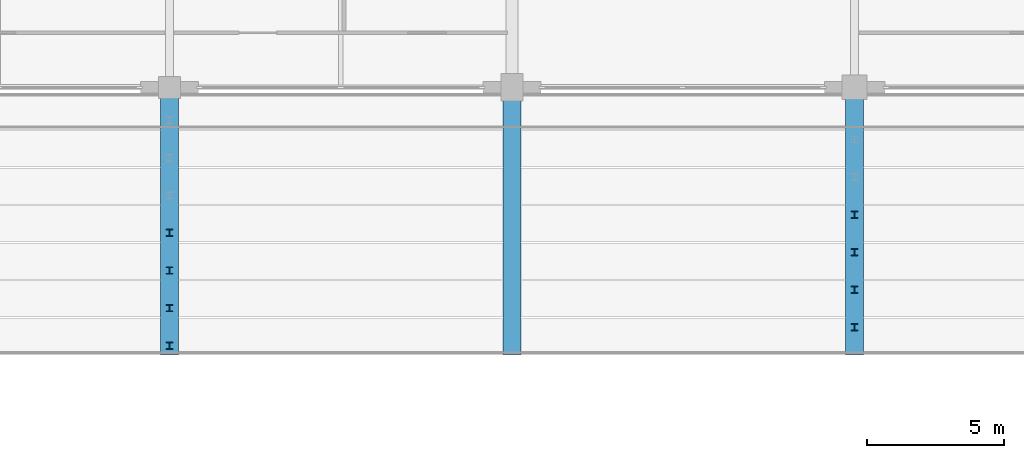
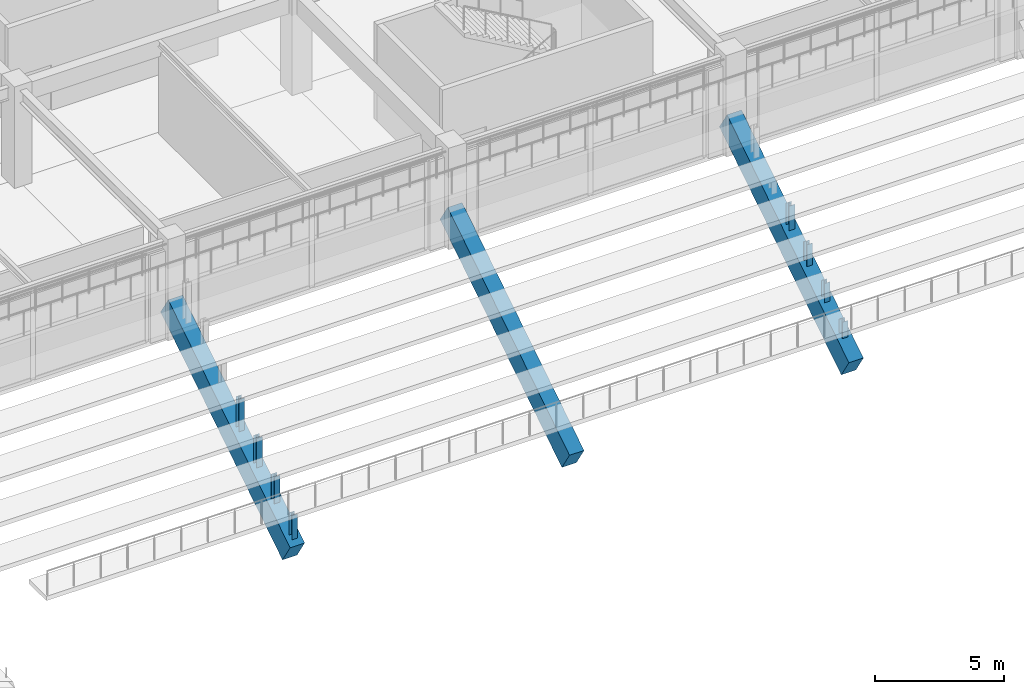
# One storey, part 27 of 134: 8 members, 3 beams.
"""IFC4 building model written with IfcOpenShell, lengths in metres."""

from ifc_helpers import new_model, si_unit, direction, frame, origin, origin_2d, place, context, subcontext, project, spatial, rectangle, i_section, extrude, material, material_profile, profile_set, type_object, element, save


model = new_model("IFC4")

# Units and contexts
model_context = context("Model", 3, precision=1e-05, world=origin(), true_north=direction((0.0, 1.0)))
body_context = subcontext(model_context, "Body", "Model", "MODEL_VIEW")
ifc_project = project(units=[si_unit("LENGTHUNIT", "METRE"), si_unit("AREAUNIT", "SQUARE_METRE"), si_unit("VOLUMEUNIT", "CUBIC_METRE"), si_unit("PLANEANGLEUNIT", "RADIAN"), si_unit("MASSUNIT", "GRAM", prefix="KILO")], contexts=[model_context])

# Site, building, storey
site_placement = place(None, origin())
site = spatial("IfcSite", under=ifc_project, at=site_placement, CompositionType="ELEMENT")
building_placement = place(site_placement, origin())
building = spatial("IfcBuilding", under=site, at=building_placement, Name="Kazenohara Klinker Stadium", CompositionType="ELEMENT")
storey_placement = place(building_placement, frame((0.0, 0.0, 5.39990234375)))
storey = spatial("IfcBuildingStorey", under=building, at=storey_placement, Name="L01", CompositionType="ELEMENT", Elevation=5.39990234375)

# Members
ifc_material_1 = material(Name="Steel S355", Category="steel")
ifc_material_profile_1 = material_profile(ifc_material_1, i_section(OverallWidth=0.25, OverallDepth=0.25, WebThickness=0.009033203125, FlangeThickness=0.013916015625, FilletRadius=0.012939453125, at=origin_2d()), Name="H-250x250x9x14")
ifc_profile_set_1 = profile_set([ifc_material_profile_1], Name="Steel S355")
member_type = type_object("IfcMemberType", Name="MEM-STR02", PredefinedType="STRUT", material=ifc_profile_set_1)
for number, where, z_axis, x_axis, name in (
    (1, (74.0, 126.68701171875, -1.333984375), (0.0, 0.0, 1.0), (1.0, 0.0, 0.0), "Precast tier riser stool LOWER-N-04-06"),
    (2, (99.0, 127.352783203125, -1.333984375), (0.0, 0.0, 1.0), (1.0, 0.0, 0.0), "Precast tier riser stool LOWER-N-04-08"),
):
    element("IfcMember", number, at=place(storey_placement, frame(where, z_axis=z_axis, x_axis=x_axis)), inside=storey, type_object=member_type, Name=name, PredefinedType="STRUT", context=body_context, shape_type="SweptSolid", body=[
        extrude(i_section(OverallWidth=0.25, OverallDepth=0.25, WebThickness=0.009033203125, FlangeThickness=0.013916015625, FilletRadius=0.012939453125, at=origin_2d()), origin(), (0.0, 0.0, 1.0), 1.524169921875),
    ])
for number, where, z_axis, x_axis, name in (
    (3, (74.0, 125.315673828125, -2.20458984375), (0.0, 0.0, 1.0), (1.0, 0.0, 0.0), "Precast tier riser stool LOWER-N-05-06"),
    (4, (99.0, 125.9814453125, -2.20458984375), (0.0, 0.0, 1.0), (1.0, 0.0, 0.0), "Precast tier riser stool LOWER-N-05-08"),
):
    element("IfcMember", number, at=place(storey_placement, frame(where, z_axis=z_axis, x_axis=x_axis)), inside=storey, type_object=member_type, Name=name, PredefinedType="STRUT", context=body_context, shape_type="SweptSolid", body=[
        extrude(i_section(OverallWidth=0.25, OverallDepth=0.25, WebThickness=0.009033203125, FlangeThickness=0.013916015625, FilletRadius=0.012939453125, at=origin_2d()), origin(), (0.0, 0.0, 1.0), 1.394775390625),
    ])
for number, where, z_axis, x_axis, name in (
    (5, (74.0, 123.9443359375, -3.075439453125), (0.0, 0.0, 1.0), (1.0, 0.0, 0.0), "Precast tier riser stool LOWER-N-06-06"),
    (6, (99.0, 124.610107421875, -3.075439453125), (0.0, 0.0, 1.0), (1.0, 0.0, 0.0), "Precast tier riser stool LOWER-N-06-08"),
):
    element("IfcMember", number, at=place(storey_placement, frame(where, z_axis=z_axis, x_axis=x_axis)), inside=storey, type_object=member_type, Name=name, PredefinedType="STRUT", context=body_context, shape_type="SweptSolid", body=[
        extrude(i_section(OverallWidth=0.25, OverallDepth=0.25, WebThickness=0.009033203125, FlangeThickness=0.013916015625, FilletRadius=0.012939453125, at=origin_2d()), origin(), (0.0, 0.0, 1.0), 1.265625),
    ])
for number, where, z_axis, x_axis, name in (
    (7, (74.0, 122.572998046875, -3.9462890625), (0.0, 0.0, 1.0), (1.0, 0.0, 0.0), "Precast tier riser stool LOWER-N-07-06"),
    (8, (99.0, 123.238525390625, -3.9462890625), (0.0, 0.0, 1.0), (1.0, 0.0, 0.0), "Precast tier riser stool LOWER-N-07-08"),
):
    element("IfcMember", number, at=place(storey_placement, frame(where, z_axis=z_axis, x_axis=x_axis)), inside=storey, type_object=member_type, Name=name, PredefinedType="STRUT", context=body_context, shape_type="SweptSolid", body=[
        extrude(i_section(OverallWidth=0.25, OverallDepth=0.25, WebThickness=0.009033203125, FlangeThickness=0.013916015625, FilletRadius=0.012939453125, at=origin_2d()), origin(), (0.0, 0.0, 1.0), 1.136474609375),
    ])

# Beams
ifc_material_2 = material(Name="Precast concrete C50/60", Category="concrete")
ifc_material_profile_2 = material_profile(ifc_material_2, rectangle(XDim=0.64990234375, YDim=1.10009765625, at=origin_2d()), Name="PC-RAKER-650x1100")
ifc_profile_set_2 = profile_set([ifc_material_profile_2], Name="Precast concrete C50/60")
beam_type = type_object("IfcBeamType", Name="RAKER-RK01", PredefinedType="USERDEFINED", material=ifc_profile_set_2)
for number, where, z_axis, x_axis, name in (
    (9, (74.0, 132.0, 1.401611328125), (0.0, -0.844211562005, -0.536010110518), (1.0, 0.0, 0.0), "Precast bowl raker girder RK01 LOWER North 7"),
    (10, (86.5, 132.0, 1.401611328125), (0.0, -0.844211562005, -0.536010110518), (1.0, 0.0, 0.0), "Precast bowl raker girder RK01 LOWER North 8"),
    (11, (99.0, 132.0, 1.401611328125), (0.0, -0.844211562005, -0.536010110518), (1.0, 0.0, 0.0), "Precast bowl raker girder RK01 LOWER North 9"),
):
    element("IfcBeam", number, at=place(storey_placement, frame(where, z_axis=z_axis, x_axis=x_axis)), inside=storey, type_object=beam_type, Name=name, ObjectType="RAKER", PredefinedType="USERDEFINED", context=body_context, shape_type="SweptSolid", body=[
        extrude(rectangle(XDim=0.64990234375, YDim=1.10009765625, at=origin_2d()), origin(), (0.0, 0.0, 1.0), 11.19384765625),
    ])

save(model, "model.ifc")
